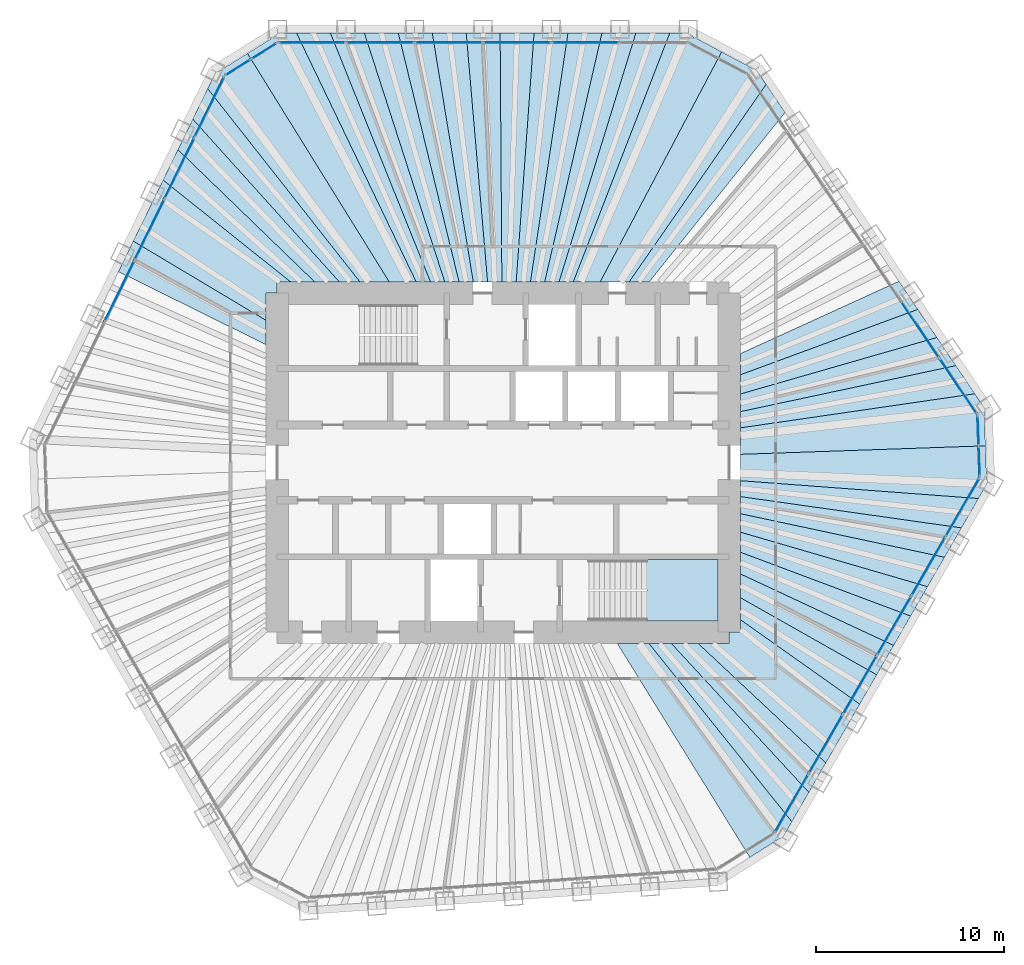
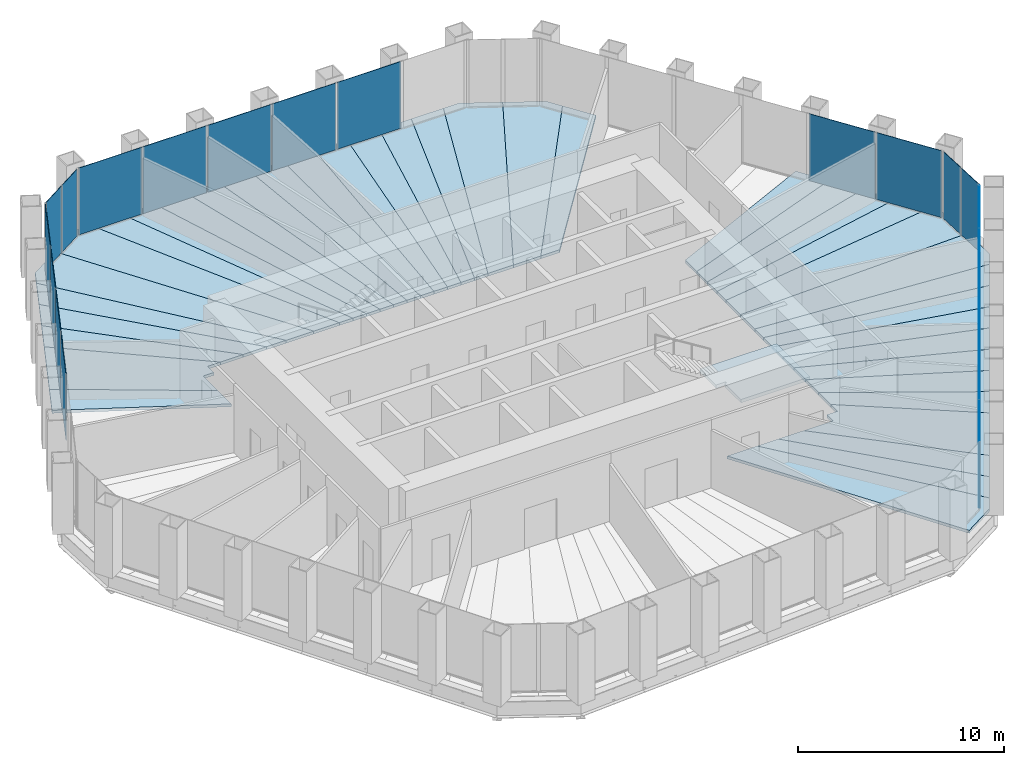
# One storey, part 9 of 14: 39 slabs, 21 plates, 7 elements without a shape of their own.
"""IFC4 building model written with IfcOpenShell, lengths in metres."""

from ifc_helpers import new_model, si_unit, direction, frame, origin, origin_2d, place, context, subcontext, project, spatial, polyline, rectangle, outline, extrude, material, layer, layer_set, type_object, element, aggregate, save


model = new_model("IFC4")

# Units and contexts
model_context = context("Model", 3, precision=1e-05, world=origin(), true_north=direction((0.0, 1.0)))
body_context = subcontext(model_context, "Body", "Model", "MODEL_VIEW")
ifc_project = project(units=[si_unit("LENGTHUNIT", "METRE"), si_unit("AREAUNIT", "SQUARE_METRE"), si_unit("VOLUMEUNIT", "CUBIC_METRE"), si_unit("PLANEANGLEUNIT", "RADIAN"), si_unit("MASSUNIT", "GRAM", prefix="KILO")], contexts=[model_context])

# Site, building, storey
site_placement = place(None, origin())
site = spatial("IfcSite", under=ifc_project, at=site_placement, CompositionType="ELEMENT")
building_placement = place(site_placement, origin())
building = spatial("IfcBuilding", under=site, at=building_placement, Name="Qingtian Harvest Tower", CompositionType="ELEMENT")
storey_placement = place(building_placement, frame((0.0, 0.0, 239.199951171875)))
storey = spatial("IfcBuildingStorey", under=building, at=storey_placement, Name="L52", CompositionType="ELEMENT", Elevation=239.199951171875)

# Slabs
ifc_material_1 = material(Name="Concrete fc' 35 MPa", Category="concrete")
ifc_layer_1 = layer(ifc_material_1, 0.169921875)
ifc_layer_set_1 = layer_set([ifc_layer_1], Name="Composite floor slab FS17 170")
slab_type_1 = type_object("IfcSlabType", Name="Composite floor slab FS17 170", PredefinedType="FLOOR", material=ifc_layer_set_1)
slab_1_placement = place(storey_placement, frame((0.0, 0.0, -0.169921875)))
element("IfcSlab", 1, at=slab_1_placement, inside=storey, type_object=slab_type_1, Name="Floor slab L52 panel D27", PredefinedType="FLOOR", context=body_context, shape_type="SweptSolid", body=[
    extrude(outline(polyline([(6.059326171875, -9.60009765625), (7.740966796875, -9.60009765625), (15.3271484375, -19.0625), (14.886962890625, -19.8251953125), (13.090576171875, -20.94775390625), (6.059326171875, -9.60009765625)])), origin(), (0.0, 0.0, 1.0), 0.169921875),
])
slab_2_placement = place(storey_placement, frame((0.0, 0.0, -0.169921875)))
element("IfcSlab", 2, at=slab_2_placement, inside=storey, type_object=slab_type_1, Name="Floor slab L52 panel D28", PredefinedType="FLOOR", context=body_context, shape_type="SweptSolid", body=[
    extrude(outline(polyline([(8.929443359375, -9.60009765625), (16.22802734375, -17.50244140625), (15.3271484375, -19.0625), (7.740966796875, -9.60009765625), (8.929443359375, -9.60009765625)])), origin(), (0.0, 0.0, 1.0), 0.169921875),
])
slab_3_placement = place(storey_placement, frame((0.0, 0.0, -0.169921875)))
element("IfcSlab", 3, at=slab_3_placement, inside=storey, type_object=slab_type_1, Name="Floor slab L52 panel D29", PredefinedType="FLOOR", context=body_context, shape_type="SweptSolid", body=[
    extrude(outline(polyline([(10.35205078125, -9.60009765625), (17.128662109375, -15.942138671875), (16.22802734375, -17.50244140625), (8.929443359375, -9.60009765625), (10.35205078125, -9.60009765625)])), origin(), (0.0, 0.0, 1.0), 0.169921875),
])
slab_4_placement = place(storey_placement, frame((0.0, 0.0, -0.169921875)))
element("IfcSlab", 4, at=slab_4_placement, inside=storey, type_object=slab_type_1, Name="Floor slab L52 panel D31", PredefinedType="FLOOR", context=body_context, shape_type="SweptSolid", body=[
    extrude(outline(polyline([(12.60009765625, -8.33984375), (18.931884765625, -12.819091796875), (17.128662109375, -15.942138671875), (10.35205078125, -9.60009765625), (12.0, -9.60009765625), (12.0, -9.0), (12.60009765625, -9.0), (12.60009765625, -8.33984375)])), origin(), (0.0, 0.0, 1.0), 0.169921875),
])
slab_5_placement = place(storey_placement, frame((0.0, 0.0, -0.169921875)))
element("IfcSlab", 5, at=slab_5_placement, inside=storey, type_object=slab_type_1, Name="Floor slab L52 panel D32", PredefinedType="FLOOR", context=body_context, shape_type="SweptSolid", body=[
    extrude(outline(polyline([(12.60009765625, -7.171142578125), (19.830322265625, -11.262939453125), (18.931884765625, -12.819091796875), (12.60009765625, -8.33984375), (12.60009765625, -7.171142578125)])), origin(), (0.0, 0.0, 1.0), 0.169921875),
])
slab_6_placement = place(storey_placement, frame((0.0, 0.0, -0.169921875)))
element("IfcSlab", 6, at=slab_6_placement, inside=storey, type_object=slab_type_1, Name="Floor slab L52 panel D33", PredefinedType="FLOOR", context=body_context, shape_type="SweptSolid", body=[
    extrude(outline(polyline([(12.60009765625, -5.91015625), (20.73095703125, -9.702880859375), (19.830322265625, -11.262939453125), (12.60009765625, -7.171142578125), (12.60009765625, -5.91015625)])), origin(), (0.0, 0.0, 1.0), 0.169921875),
])
slab_7_placement = place(storey_placement, frame((0.0, 0.0, -0.169921875)))
element("IfcSlab", 7, at=slab_7_placement, inside=storey, type_object=slab_type_1, Name="Floor slab L52 panel D34", PredefinedType="FLOOR", context=body_context, shape_type="SweptSolid", body=[
    extrude(outline(polyline([(12.60009765625, -4.75439453125), (21.6318359375, -8.142578125), (20.73095703125, -9.702880859375), (12.60009765625, -5.91015625), (12.60009765625, -4.75439453125)])), origin(), (0.0, 0.0, 1.0), 0.169921875),
])
slab_8_placement = place(storey_placement, frame((0.0, 0.0, -0.169921875)))
element("IfcSlab", 8, at=slab_8_placement, inside=storey, type_object=slab_type_1, Name="Floor slab L52 panel D35", PredefinedType="FLOOR", context=body_context, shape_type="SweptSolid", body=[
    extrude(outline(polyline([(12.60009765625, -3.691162109375), (22.532470703125, -6.58251953125), (21.6318359375, -8.142578125), (12.60009765625, -4.75439453125), (12.60009765625, -3.691162109375)])), origin(), (0.0, 0.0, 1.0), 0.169921875),
])
slab_9_placement = place(storey_placement, frame((0.0, 0.0, -0.169921875)))
element("IfcSlab", 9, at=slab_9_placement, inside=storey, type_object=slab_type_1, Name="Floor slab L52 panel D36", PredefinedType="FLOOR", context=body_context, shape_type="SweptSolid", body=[
    extrude(outline(polyline([(12.60009765625, -2.709716796875), (23.43310546875, -5.022705078125), (22.532470703125, -6.58251953125), (12.60009765625, -3.691162109375), (12.60009765625, -2.709716796875)])), origin(), (0.0, 0.0, 1.0), 0.169921875),
])
slab_10_placement = place(storey_placement, frame((0.0, 0.0, -0.169921875)))
element("IfcSlab", 10, at=slab_10_placement, inside=storey, type_object=slab_type_1, Name="Floor slab L52 panel D37", PredefinedType="FLOOR", context=body_context, shape_type="SweptSolid", body=[
    extrude(outline(polyline([(12.60009765625, -1.801025390625), (24.333740234375, -3.462646484375), (23.43310546875, -5.022705078125), (12.60009765625, -2.709716796875), (12.60009765625, -1.801025390625)])), origin(), (0.0, 0.0, 1.0), 0.169921875),
])
slab_11_placement = place(storey_placement, frame((0.0, 0.0, -0.169921875)))
element("IfcSlab", 11, at=slab_11_placement, inside=storey, type_object=slab_type_1, Name="Floor slab L52 panel D38", PredefinedType="FLOOR", context=body_context, shape_type="SweptSolid", body=[
    extrude(outline(polyline([(12.60009765625, -0.95703125), (25.234619140625, -1.902587890625), (24.333740234375, -3.462646484375), (12.60009765625, -1.801025390625), (12.60009765625, -0.95703125)])), origin(), (0.0, 0.0, 1.0), 0.169921875),
])
slab_12_placement = place(storey_placement, frame((0.0, 0.0, -0.169921875)))
element("IfcSlab", 12, at=slab_12_placement, inside=storey, type_object=slab_type_1, Name="Floor slab L52 panel D39", PredefinedType="FLOOR", context=body_context, shape_type="SweptSolid", body=[
    extrude(outline(polyline([(12.60009765625, -0.95703125), (12.60009765625, 0.442626953125), (25.603759765625, 0.89404296875), (25.6748046875, -1.139892578125), (25.234619140625, -1.902587890625), (12.60009765625, -0.95703125)])), origin(), (0.0, 0.0, 1.0), 0.169921875),
])
slab_13_placement = place(storey_placement, frame((0.0, 0.0, -0.169921875)))
element("IfcSlab", 13, at=slab_13_placement, inside=storey, type_object=slab_type_1, Name="Floor slab L52 panel D40", PredefinedType="FLOOR", context=body_context, shape_type="SweptSolid", body=[
    extrude(outline(polyline([(12.60009765625, 0.442626953125), (12.60009765625, 1.848876953125), (25.040283203125, 3.658203125), (25.53271484375, 2.92822265625), (25.603759765625, 0.89404296875), (12.60009765625, 0.442626953125)])), origin(), (0.0, 0.0, 1.0), 0.169921875),
])
slab_14_placement = place(storey_placement, frame((0.0, 0.0, -0.169921875)))
element("IfcSlab", 14, at=slab_14_placement, inside=storey, type_object=slab_type_1, Name="Floor slab L52 panel D41", PredefinedType="FLOOR", context=body_context, shape_type="SweptSolid", body=[
    extrude(outline(polyline([(12.60009765625, 2.710205078125), (24.032958984375, 5.151611328125), (25.040283203125, 3.658203125), (12.60009765625, 1.848876953125), (12.60009765625, 2.710205078125)])), origin(), (0.0, 0.0, 1.0), 0.169921875),
])
slab_15_placement = place(storey_placement, frame((0.0, 0.0, -0.169921875)))
element("IfcSlab", 15, at=slab_15_placement, inside=storey, type_object=slab_type_1, Name="Floor slab L52 panel D42", PredefinedType="FLOOR", context=body_context, shape_type="SweptSolid", body=[
    extrude(outline(polyline([(12.60009765625, 3.646728515625), (23.025634765625, 6.64501953125), (24.032958984375, 5.151611328125), (12.60009765625, 2.710205078125), (12.60009765625, 3.646728515625)])), origin(), (0.0, 0.0, 1.0), 0.169921875),
])
slab_16_placement = place(storey_placement, frame((0.0, 0.0, -0.169921875)))
element("IfcSlab", 16, at=slab_16_placement, inside=storey, type_object=slab_type_1, Name="Floor slab L52 panel D43", PredefinedType="FLOOR", context=body_context, shape_type="SweptSolid", body=[
    extrude(outline(polyline([(12.60009765625, 4.669189453125), (22.018310546875, 8.138427734375), (23.025634765625, 6.64501953125), (12.60009765625, 3.646728515625), (12.60009765625, 4.669189453125)])), origin(), (0.0, 0.0, 1.0), 0.169921875),
])
slab_17_placement = place(storey_placement, frame((0.0, 0.0, -0.169921875)))
element("IfcSlab", 17, at=slab_17_placement, inside=storey, type_object=slab_type_1, Name="Floor slab L52 panel D44", PredefinedType="FLOOR", context=body_context, shape_type="SweptSolid", body=[
    extrude(outline(polyline([(12.60009765625, 5.7900390625), (21.010986328125, 9.6318359375), (22.018310546875, 8.138427734375), (12.60009765625, 4.669189453125), (12.60009765625, 5.7900390625)])), origin(), (0.0, 0.0, 1.0), 0.169921875),
])
slab_18_placement = place(storey_placement, frame((0.0, 0.0, -0.169921875)))
element("IfcSlab", 18, at=slab_18_placement, inside=storey, type_object=slab_type_1, Name="Floor slab L52 panel D51", PredefinedType="FLOOR", context=body_context, shape_type="SweptSolid", body=[
    extrude(outline(polyline([(6.6904296875, 9.60009765625), (13.960205078125, 20.085205078125), (14.967529296875, 18.591796875), (7.751220703125, 9.60009765625), (6.6904296875, 9.60009765625)])), origin(), (0.0, 0.0, 1.0), 0.169921875),
])
slab_19_placement = place(storey_placement, frame((0.0, 0.0, -0.169921875)))
element("IfcSlab", 19, at=slab_19_placement, inside=storey, type_object=slab_type_1, Name="Floor slab L52 panel D52", PredefinedType="FLOOR", context=body_context, shape_type="SweptSolid", body=[
    extrude(outline(polyline([(6.6904296875, 9.60009765625), (5.15185546875, 9.60009765625), (11.59716796875, 21.809814453125), (13.4677734375, 20.8154296875), (13.960205078125, 20.085205078125), (6.6904296875, 9.60009765625)])), origin(), (0.0, 0.0, 1.0), 0.169921875),
])
slab_20_placement = place(storey_placement, frame((0.0, 0.0, -0.169921875)))
element("IfcSlab", 20, at=slab_20_placement, inside=storey, type_object=slab_type_1, Name="Floor slab L52 panel D53", PredefinedType="FLOOR", context=body_context, shape_type="SweptSolid", body=[
    extrude(outline(polyline([(3.7236328125, 9.60009765625), (8.84521484375, 22.804931640625), (9.7255859375, 22.804931640625), (11.59716796875, 21.809814453125), (5.15185546875, 9.60009765625), (3.7236328125, 9.60009765625)])), origin(), (0.0, 0.0, 1.0), 0.169921875),
])
slab_21_placement = place(storey_placement, frame((0.0, 0.0, -0.169921875)))
element("IfcSlab", 21, at=slab_21_placement, inside=storey, type_object=slab_type_1, Name="Floor slab L52 panel D54", PredefinedType="FLOOR", context=body_context, shape_type="SweptSolid", body=[
    extrude(outline(polyline([(2.96533203125, 9.60009765625), (7.0439453125, 22.804931640625), (8.84521484375, 22.804931640625), (3.7236328125, 9.60009765625), (2.96533203125, 9.60009765625)])), origin(), (0.0, 0.0, 1.0), 0.169921875),
])
slab_22_placement = place(storey_placement, frame((0.0, 0.0, -0.169921875)))
element("IfcSlab", 22, at=slab_22_placement, inside=storey, type_object=slab_type_1, Name="Floor slab L52 panel D55", PredefinedType="FLOOR", context=body_context, shape_type="SweptSolid", body=[
    extrude(outline(polyline([(2.206787109375, 9.60009765625), (5.242431640625, 22.804931640625), (7.0439453125, 22.804931640625), (2.96533203125, 9.60009765625), (2.206787109375, 9.60009765625)])), origin(), (0.0, 0.0, 1.0), 0.169921875),
])
slab_23_placement = place(storey_placement, frame((0.0, 0.0, -0.169921875)))
element("IfcSlab", 23, at=slab_23_placement, inside=storey, type_object=slab_type_1, Name="Floor slab L52 panel D56", PredefinedType="FLOOR", context=body_context, shape_type="SweptSolid", body=[
    extrude(outline(polyline([(1.448486328125, 9.60009765625), (3.441162109375, 22.804931640625), (5.242431640625, 22.804931640625), (2.206787109375, 9.60009765625), (1.448486328125, 9.60009765625)])), origin(), (0.0, 0.0, 1.0), 0.169921875),
])
slab_24_placement = place(storey_placement, frame((0.0, 0.0, -0.169921875)))
element("IfcSlab", 24, at=slab_24_placement, inside=storey, type_object=slab_type_1, Name="Floor slab L52 panel D57", PredefinedType="FLOOR", context=body_context, shape_type="SweptSolid", body=[
    extrude(outline(polyline([(0.690185546875, 9.60009765625), (1.639892578125, 22.804931640625), (3.441162109375, 22.804931640625), (1.448486328125, 9.60009765625), (0.690185546875, 9.60009765625)])), origin(), (0.0, 0.0, 1.0), 0.169921875),
])
slab_25_placement = place(storey_placement, frame((0.0, 0.0, -0.169921875)))
element("IfcSlab", 25, at=slab_25_placement, inside=storey, type_object=slab_type_1, Name="Floor slab L52 panel D58", PredefinedType="FLOOR", context=body_context, shape_type="SweptSolid", body=[
    extrude(outline(polyline([(-0.068115234375, 9.60009765625), (-0.16162109375, 22.804931640625), (1.639892578125, 22.804931640625), (0.690185546875, 9.60009765625), (-0.068115234375, 9.60009765625)])), origin(), (0.0, 0.0, 1.0), 0.169921875),
])
slab_26_placement = place(storey_placement, frame((0.0, 0.0, -0.169921875)))
element("IfcSlab", 26, at=slab_26_placement, inside=storey, type_object=slab_type_1, Name="Floor slab L52 panel D59", PredefinedType="FLOOR", context=body_context, shape_type="SweptSolid", body=[
    extrude(outline(polyline([(-0.826416015625, 9.60009765625), (-1.962890625, 22.804931640625), (-0.16162109375, 22.804931640625), (-0.068115234375, 9.60009765625), (-0.826416015625, 9.60009765625)])), origin(), (0.0, 0.0, 1.0), 0.169921875),
])
slab_27_placement = place(storey_placement, frame((0.0, 0.0, -0.169921875)))
element("IfcSlab", 27, at=slab_27_placement, inside=storey, type_object=slab_type_1, Name="Floor slab L52 panel D60", PredefinedType="FLOOR", context=body_context, shape_type="SweptSolid", body=[
    extrude(outline(polyline([(-1.584716796875, 9.60009765625), (-3.764404296875, 22.804931640625), (-1.962890625, 22.804931640625), (-0.826416015625, 9.60009765625), (-1.584716796875, 9.60009765625)])), origin(), (0.0, 0.0, 1.0), 0.169921875),
])
slab_28_placement = place(storey_placement, frame((0.0, 0.0, -0.169921875)))
element("IfcSlab", 28, at=slab_28_placement, inside=storey, type_object=slab_type_1, Name="Floor slab L52 panel D61", PredefinedType="FLOOR", context=body_context, shape_type="SweptSolid", body=[
    extrude(outline(polyline([(-2.343017578125, 9.60009765625), (-5.565673828125, 22.804931640625), (-3.764404296875, 22.804931640625), (-1.584716796875, 9.60009765625), (-2.343017578125, 9.60009765625)])), origin(), (0.0, 0.0, 1.0), 0.169921875),
])
slab_29_placement = place(storey_placement, frame((0.0, 0.0, -0.169921875)))
element("IfcSlab", 29, at=slab_29_placement, inside=storey, type_object=slab_type_1, Name="Floor slab L52 panel D62", PredefinedType="FLOOR", context=body_context, shape_type="SweptSolid", body=[
    extrude(outline(polyline([(-3.101318359375, 9.60009765625), (-7.366943359375, 22.804931640625), (-5.565673828125, 22.804931640625), (-2.343017578125, 9.60009765625), (-3.101318359375, 9.60009765625)])), origin(), (0.0, 0.0, 1.0), 0.169921875),
])
slab_30_placement = place(storey_placement, frame((0.0, 0.0, -0.169921875)))
element("IfcSlab", 30, at=slab_30_placement, inside=storey, type_object=slab_type_1, Name="Floor slab L52 panel D63", PredefinedType="FLOOR", context=body_context, shape_type="SweptSolid", body=[
    extrude(outline(polyline([(-3.859619140625, 9.60009765625), (-9.16845703125, 22.804931640625), (-7.366943359375, 22.804931640625), (-3.101318359375, 9.60009765625), (-3.859619140625, 9.60009765625)])), origin(), (0.0, 0.0, 1.0), 0.169921875),
])
slab_31_placement = place(storey_placement, frame((0.0, 0.0, -0.169921875)))
element("IfcSlab", 31, at=slab_31_placement, inside=storey, type_object=slab_type_1, Name="Floor slab L52 panel D64", PredefinedType="FLOOR", context=body_context, shape_type="SweptSolid", body=[
    extrude(outline(polyline([(-4.617919921875, 9.60009765625), (-10.9697265625, 22.804931640625), (-9.16845703125, 22.804931640625), (-3.859619140625, 9.60009765625), (-4.617919921875, 9.60009765625)])), origin(), (0.0, 0.0, 1.0), 0.169921875),
])
slab_32_placement = place(storey_placement, frame((0.0, 0.0, -0.169921875)))
element("IfcSlab", 32, at=slab_32_placement, inside=storey, type_object=slab_type_1, Name="Floor slab L52 panel D65", PredefinedType="FLOOR", context=body_context, shape_type="SweptSolid", body=[
    extrude(outline(polyline([(-4.617919921875, 9.60009765625), (-6.050537109375, 9.60009765625), (-13.57666015625, 21.72607421875), (-11.85009765625, 22.804931640625), (-10.9697265625, 22.804931640625), (-4.617919921875, 9.60009765625)])), origin(), (0.0, 0.0, 1.0), 0.169921875),
])
slab_33_placement = place(storey_placement, frame((0.0, 0.0, -0.169921875)))
element("IfcSlab", 33, at=slab_33_placement, inside=storey, type_object=slab_type_1, Name="Floor slab L52 panel D66", PredefinedType="FLOOR", context=body_context, shape_type="SweptSolid", body=[
    extrude(outline(polyline([(-6.050537109375, 9.60009765625), (-7.60498046875, 9.60009765625), (-15.688232421875, 19.8564453125), (-15.30224609375, 20.64794921875), (-13.57666015625, 21.72607421875), (-6.050537109375, 9.60009765625)])), origin(), (0.0, 0.0, 1.0), 0.169921875),
])
slab_34_placement = place(storey_placement, frame((0.0, 0.0, -0.169921875)))
element("IfcSlab", 34, at=slab_34_placement, inside=storey, type_object=slab_type_1, Name="Floor slab L52 panel D67", PredefinedType="FLOOR", context=body_context, shape_type="SweptSolid", body=[
    extrude(outline(polyline([(-8.699951171875, 9.60009765625), (-16.47802734375, 18.2373046875), (-15.688232421875, 19.8564453125), (-7.60498046875, 9.60009765625), (-8.699951171875, 9.60009765625)])), origin(), (0.0, 0.0, 1.0), 0.169921875),
])
slab_35_placement = place(storey_placement, frame((0.0, 0.0, -0.169921875)))
element("IfcSlab", 35, at=slab_35_placement, inside=storey, type_object=slab_type_1, Name="Floor slab L52 panel D68", PredefinedType="FLOOR", context=body_context, shape_type="SweptSolid", body=[
    extrude(outline(polyline([(-10.009765625, 9.60009765625), (-17.267822265625, 16.6181640625), (-16.47802734375, 18.2373046875), (-8.699951171875, 9.60009765625), (-10.009765625, 9.60009765625)])), origin(), (0.0, 0.0, 1.0), 0.169921875),
])
slab_36_placement = place(storey_placement, frame((0.0, 0.0, -0.169921875)))
element("IfcSlab", 36, at=slab_36_placement, inside=storey, type_object=slab_type_1, Name="Floor slab L52 panel D69", PredefinedType="FLOOR", context=body_context, shape_type="SweptSolid", body=[
    extrude(outline(polyline([(-11.28759765625, 9.60009765625), (-18.055419921875, 15.003173828125), (-17.267822265625, 16.6181640625), (-10.009765625, 9.60009765625), (-11.28759765625, 9.60009765625)])), origin(), (0.0, 0.0, 1.0), 0.169921875),
])
slab_37_placement = place(storey_placement, frame((0.0, 0.0, -0.169921875)))
element("IfcSlab", 37, at=slab_37_placement, inside=storey, type_object=slab_type_1, Name="Floor slab L52 panel D70", PredefinedType="FLOOR", context=body_context, shape_type="SweptSolid", body=[
    extrude(outline(polyline([(-12.0, 9.0), (-12.60009765625, 9.0), (-12.60009765625, 7.560302734375), (-19.636474609375, 11.761474609375), (-18.055419921875, 15.003173828125), (-11.28759765625, 9.60009765625), (-12.0, 9.60009765625), (-12.0, 9.0)])), origin(), (0.0, 0.0, 1.0), 0.169921875),
])
slab_38_placement = place(storey_placement, frame((0.0, 0.0, -0.169921875)))
element("IfcSlab", 38, at=slab_38_placement, inside=storey, type_object=slab_type_1, Name="Floor slab L52 panel D72", PredefinedType="FLOOR", context=body_context, shape_type="SweptSolid", body=[
    extrude(outline(polyline([(-12.60009765625, 6.268310546875), (-20.426025390625, 10.142578125), (-19.636474609375, 11.761474609375), (-12.60009765625, 7.560302734375), (-12.60009765625, 6.268310546875)])), origin(), (0.0, 0.0, 1.0), 0.169921875),
])

# Curtain wall, plates
ifc_material_2 = material(Name="Bronze-anodised aluminium curtain wall", Category="aluminium")
curtain_wall_type = type_object("IfcCurtainWallType", Name="Curtain wall CW4 office", PredefinedType="USERDEFINED", material=ifc_material_2)
curtain_wall_1_placement = place(storey_placement, origin())
curtain_wall_1 = element("IfcCurtainWall", 39, at=curtain_wall_1_placement, inside=storey, type_object=curtain_wall_type, Name="Curtain wall CW4 L52 N0-5", ObjectType="RECESSED CURTAIN WALL", PredefinedType="USERDEFINED")
ifc_material_3 = material(Name="Bronze-tinted laminated insulating glass", Category="glass")
ifc_layer_2 = layer(ifc_material_3, 0.030029296875)
ifc_layer_set_2 = layer_set([ifc_layer_2], Name="Glazed panel CWP tinted IGU")
plate_type = type_object("IfcPlateType", Name="Glazed panel CWP tinted IGU", PredefinedType="CURTAIN_PANEL", material=ifc_layer_set_2)
plate_1_placement = place(storey_placement, frame((-10.138916015625, 22.300048828125, 0.06494140625), z_axis=(0.0, 0.0, 1.0), x_axis=(1.0, 0.0, 0.0)))
plate_1 = element("IfcPlate", 40, at=plate_1_placement, type_object=plate_type, Name="CW4 panel 1.1", PredefinedType="CURTAIN_PANEL", context=body_context, shape_type="SweptSolid", body=[
    extrude(rectangle(XDim=3.5361328125, YDim=0.030029296875, at=origin_2d()), origin(), (0.0, 0.0, 1.0), 3.965087890625),
])
plate_2_placement = place(storey_placement, frame((-6.521728515625, 22.300048828125, 0.06494140625), z_axis=(0.0, 0.0, 1.0), x_axis=(1.0, 0.0, 0.0)))
plate_2 = element("IfcPlate", 41, at=plate_2_placement, type_object=plate_type, Name="CW4 panel 2.1", PredefinedType="CURTAIN_PANEL", context=body_context, shape_type="SweptSolid", body=[
    extrude(rectangle(XDim=3.568603515625, YDim=0.030029296875, at=origin_2d()), origin(), (0.0, 0.0, 1.0), 3.965087890625),
])
plate_3_placement = place(storey_placement, frame((-2.88818359375, 22.300048828125, 0.06494140625), z_axis=(0.0, 0.0, 1.0), x_axis=(1.0, 0.0, 0.0)))
plate_3 = element("IfcPlate", 42, at=plate_3_placement, type_object=plate_type, Name="CW4 panel 3.1", PredefinedType="CURTAIN_PANEL", context=body_context, shape_type="SweptSolid", body=[
    extrude(rectangle(XDim=3.568603515625, YDim=0.030029296875, at=origin_2d()), origin(), (0.0, 0.0, 1.0), 3.965087890625),
])
plate_4_placement = place(storey_placement, frame((0.745361328125, 22.300048828125, 0.06494140625), z_axis=(0.0, 0.0, 1.0), x_axis=(1.0, 0.0, 0.0)))
plate_4 = element("IfcPlate", 43, at=plate_4_placement, type_object=plate_type, Name="CW4 panel 4.1", PredefinedType="CURTAIN_PANEL", context=body_context, shape_type="SweptSolid", body=[
    extrude(rectangle(XDim=3.568603515625, YDim=0.030029296875, at=origin_2d()), origin(), (0.0, 0.0, 1.0), 3.965087890625),
])
plate_5_placement = place(storey_placement, frame((4.37890625, 22.300048828125, 0.06494140625), z_axis=(0.0, 0.0, 1.0), x_axis=(1.0, 0.0, 0.0)))
plate_5 = element("IfcPlate", 44, at=plate_5_placement, type_object=plate_type, Name="CW4 panel 5.1", PredefinedType="CURTAIN_PANEL", context=body_context, shape_type="SweptSolid", body=[
    extrude(rectangle(XDim=3.568603515625, YDim=0.030029296875, at=origin_2d()), origin(), (0.0, 0.0, 1.0), 3.965087890625),
])
aggregate(curtain_wall_1, [plate_1, plate_2, plate_3, plate_4, plate_5])

curtain_wall_2_placement = place(storey_placement, origin())
curtain_wall_2 = element("IfcCurtainWall", 45, at=curtain_wall_2_placement, inside=storey, type_object=curtain_wall_type, Name="Curtain wall CW4 L52 NE0-5", ObjectType="RECESSED CURTAIN WALL", PredefinedType="USERDEFINED")
plate_6_placement = place(storey_placement, frame((22.134521484375, 7.063232421875, 0.06494140625), z_axis=(0.0, 0.0, 1.0), x_axis=(0.559192903471, -0.829037572555, 0.0)))
plate_6 = element("IfcPlate", 46, at=plate_6_placement, type_object=plate_type, Name="CW4 panel 5.1", PredefinedType="CURTAIN_PANEL", context=body_context, shape_type="SweptSolid", body=[
    extrude(rectangle(XDim=3.568603515625, YDim=0.030029296875, at=origin_2d()), origin(), (0.0, 0.0, 1.0), 3.965087890625),
])
plate_7_placement = place(storey_placement, frame((24.1572265625, 4.064453125, 0.06494140625), z_axis=(0.0, 0.0, 1.0), x_axis=(0.559192903471, -0.829037572555, 0.0)))
plate_7 = element("IfcPlate", 47, at=plate_7_placement, type_object=plate_type, Name="CW4 panel 6.1", PredefinedType="CURTAIN_PANEL", context=body_context, shape_type="SweptSolid", body=[
    extrude(rectangle(XDim=3.5361328125, YDim=0.030029296875, at=origin_2d()), origin(), (0.0, 0.0, 1.0), 3.965087890625),
])
aggregate(curtain_wall_2, [plate_6, plate_7])

curtain_wall_3_placement = place(storey_placement, origin())
curtain_wall_3 = element("IfcCurtainWall", 48, at=curtain_wall_3_placement, inside=storey, type_object=curtain_wall_type, Name="Curtain wall CW4 L52 NEC", ObjectType="RECESSED CURTAIN WALL", PredefinedType="USERDEFINED")
plate_8_placement = place(storey_placement, frame((25.2119140625, 1.69677734375, 0.06494140625), z_axis=(0.0, 0.0, 1.0), x_axis=(0.034899496703, -0.999390827019, 0.0)))
plate_8 = element("IfcPlate", 49, at=plate_8_placement, type_object=plate_type, Name="CW4 panel 1.1", PredefinedType="CURTAIN_PANEL", context=body_context, shape_type="SweptSolid", body=[
    extrude(rectangle(XDim=1.56689453125, YDim=0.030029296875, at=origin_2d()), origin(), (0.0, 0.0, 1.0), 3.965087890625),
])
plate_9_placement = place(storey_placement, frame((25.268798828125, 0.06591796875, 0.06494140625), z_axis=(0.0, 0.0, 1.0), x_axis=(0.034899496703, -0.999390827019, 0.0)))
plate_9 = element("IfcPlate", 50, at=plate_9_placement, type_object=plate_type, Name="CW4 panel 2.1", PredefinedType="CURTAIN_PANEL", context=body_context, shape_type="SweptSolid", body=[
    extrude(rectangle(XDim=1.56689453125, YDim=0.030029296875, at=origin_2d()), origin(), (0.0, 0.0, 1.0), 3.965087890625),
])
aggregate(curtain_wall_3, [plate_8, plate_9])

curtain_wall_4_placement = place(storey_placement, origin())
curtain_wall_4 = element("IfcCurtainWall", 51, at=curtain_wall_4_placement, inside=storey, type_object=curtain_wall_type, Name="Curtain wall CW4 L52 SE0-5", ObjectType="RECESSED CURTAIN WALL", PredefinedType="USERDEFINED")
plate_10_placement = place(storey_placement, frame((24.3818359375, -2.369384765625, 0.06494140625), z_axis=(0.0, 0.0, 1.0), x_axis=(-0.5, -0.866025403784, 0.0)))
plate_10 = element("IfcPlate", 52, at=plate_10_placement, type_object=plate_type, Name="CW4 panel 1.1", PredefinedType="CURTAIN_PANEL", context=body_context, shape_type="SweptSolid", body=[
    extrude(rectangle(XDim=3.5361328125, YDim=0.030029296875, at=origin_2d()), origin(), (0.0, 0.0, 1.0), 3.965087890625),
])
plate_11_placement = place(storey_placement, frame((22.5732421875, -5.501953125, 0.06494140625), z_axis=(0.0, 0.0, 1.0), x_axis=(-0.5, -0.866025403784, 0.0)))
plate_11 = element("IfcPlate", 53, at=plate_11_placement, type_object=plate_type, Name="CW4 panel 2.1", PredefinedType="CURTAIN_PANEL", context=body_context, shape_type="SweptSolid", body=[
    extrude(rectangle(XDim=3.568603515625, YDim=0.030029296875, at=origin_2d()), origin(), (0.0, 0.0, 1.0), 3.965087890625),
])
plate_12_placement = place(storey_placement, frame((20.75634765625, -8.64892578125, 0.06494140625), z_axis=(0.0, 0.0, 1.0), x_axis=(-0.5, -0.866025403784, 0.0)))
plate_12 = element("IfcPlate", 54, at=plate_12_placement, type_object=plate_type, Name="CW4 panel 3.1", PredefinedType="CURTAIN_PANEL", context=body_context, shape_type="SweptSolid", body=[
    extrude(rectangle(XDim=3.568603515625, YDim=0.030029296875, at=origin_2d()), origin(), (0.0, 0.0, 1.0), 3.965087890625),
])
plate_13_placement = place(storey_placement, frame((18.939697265625, -11.795654296875, 0.06494140625), z_axis=(0.0, 0.0, 1.0), x_axis=(-0.5, -0.866025403784, 0.0)))
plate_13 = element("IfcPlate", 55, at=plate_13_placement, type_object=plate_type, Name="CW4 panel 4.1", PredefinedType="CURTAIN_PANEL", context=body_context, shape_type="SweptSolid", body=[
    extrude(rectangle(XDim=3.568603515625, YDim=0.030029296875, at=origin_2d()), origin(), (0.0, 0.0, 1.0), 3.965087890625),
])
plate_14_placement = place(storey_placement, frame((17.122802734375, -14.9423828125, 0.06494140625), z_axis=(0.0, 0.0, 1.0), x_axis=(-0.5, -0.866025403784, 0.0)))
plate_14 = element("IfcPlate", 56, at=plate_14_placement, type_object=plate_type, Name="CW4 panel 5.1", PredefinedType="CURTAIN_PANEL", context=body_context, shape_type="SweptSolid", body=[
    extrude(rectangle(XDim=3.568603515625, YDim=0.030029296875, at=origin_2d()), origin(), (0.0, 0.0, 1.0), 3.965087890625),
])
plate_15_placement = place(storey_placement, frame((15.314208984375, -18.074951171875, 0.06494140625), z_axis=(0.0, 0.0, 1.0), x_axis=(-0.5, -0.866025403784, 0.0)))
plate_15 = element("IfcPlate", 57, at=plate_15_placement, type_object=plate_type, Name="CW4 panel 6.1", PredefinedType="CURTAIN_PANEL", context=body_context, shape_type="SweptSolid", body=[
    extrude(rectangle(XDim=3.5361328125, YDim=0.030029296875, at=origin_2d()), origin(), (0.0, 0.0, 1.0), 3.965087890625),
])
aggregate(curtain_wall_4, [plate_10, plate_11, plate_12, plate_13, plate_14, plate_15])

curtain_wall_5_placement = place(storey_placement, origin())
curtain_wall_5 = element("IfcCurtainWall", 58, at=curtain_wall_5_placement, inside=storey, type_object=curtain_wall_type, Name="Curtain wall CW4 L52 NW0-5", ObjectType="RECESSED CURTAIN WALL", PredefinedType="USERDEFINED")
plate_16_placement = place(storey_placement, frame((-20.369873046875, 9.105712890625, 0.06494140625), z_axis=(0.0, 0.0, 1.0), x_axis=(0.438371146789, 0.898794046299, 0.0)))
plate_16 = element("IfcPlate", 59, at=plate_16_placement, type_object=plate_type, Name="CW4 panel 3.1", PredefinedType="CURTAIN_PANEL", context=body_context, shape_type="SweptSolid", body=[
    extrude(rectangle(XDim=3.568603515625, YDim=0.030029296875, at=origin_2d()), origin(), (0.0, 0.0, 1.0), 3.965087890625),
])
plate_17_placement = place(storey_placement, frame((-18.777099609375, 12.37158203125, 0.06494140625), z_axis=(0.0, 0.0, 1.0), x_axis=(0.438371146789, 0.898794046299, 0.0)))
plate_17 = element("IfcPlate", 60, at=plate_17_placement, type_object=plate_type, Name="CW4 panel 4.1", PredefinedType="CURTAIN_PANEL", context=body_context, shape_type="SweptSolid", body=[
    extrude(rectangle(XDim=3.568603515625, YDim=0.030029296875, at=origin_2d()), origin(), (0.0, 0.0, 1.0), 3.965087890625),
])
plate_18_placement = place(storey_placement, frame((-17.18408203125, 15.63720703125, 0.06494140625), z_axis=(0.0, 0.0, 1.0), x_axis=(0.438371146789, 0.898794046299, 0.0)))
plate_18 = element("IfcPlate", 61, at=plate_18_placement, type_object=plate_type, Name="CW4 panel 5.1", PredefinedType="CURTAIN_PANEL", context=body_context, shape_type="SweptSolid", body=[
    extrude(rectangle(XDim=3.568603515625, YDim=0.030029296875, at=origin_2d()), origin(), (0.0, 0.0, 1.0), 3.965087890625),
])
plate_19_placement = place(storey_placement, frame((-15.598388671875, 18.888427734375, 0.06494140625), z_axis=(0.0, 0.0, 1.0), x_axis=(0.438371146789, 0.898794046299, 0.0)))
plate_19 = element("IfcPlate", 62, at=plate_19_placement, type_object=plate_type, Name="CW4 panel 6.1", PredefinedType="CURTAIN_PANEL", context=body_context, shape_type="SweptSolid", body=[
    extrude(rectangle(XDim=3.5361328125, YDim=0.030029296875, at=origin_2d()), origin(), (0.0, 0.0, 1.0), 3.965087890625),
])
aggregate(curtain_wall_5, [plate_16, plate_17, plate_18, plate_19])

curtain_wall_6_placement = place(storey_placement, origin())
curtain_wall_6 = element("IfcCurtainWall", 63, at=curtain_wall_6_placement, inside=storey, type_object=curtain_wall_type, Name="Curtain wall CW4 L52 NWC", ObjectType="RECESSED CURTAIN WALL", PredefinedType="USERDEFINED")
plate_20_placement = place(storey_placement, frame((-14.075439453125, 20.985595703125, 0.06494140625), z_axis=(0.0, 0.0, 1.0), x_axis=(0.848048096156, 0.529919264233, 0.0)))
plate_20 = element("IfcPlate", 64, at=plate_20_placement, type_object=plate_type, Name="CW4 panel 1.1", PredefinedType="CURTAIN_PANEL", context=body_context, shape_type="SweptSolid", body=[
    extrude(rectangle(XDim=1.56689453125, YDim=0.030029296875, at=origin_2d()), origin(), (0.0, 0.0, 1.0), 3.965087890625),
])
plate_21_placement = place(storey_placement, frame((-12.69140625, 21.850341796875, 0.06494140625), z_axis=(0.0, 0.0, 1.0), x_axis=(0.848048096156, 0.529919264233, 0.0)))
plate_21 = element("IfcPlate", 65, at=plate_21_placement, type_object=plate_type, Name="CW4 panel 2.1", PredefinedType="CURTAIN_PANEL", context=body_context, shape_type="SweptSolid", body=[
    extrude(rectangle(XDim=1.56689453125, YDim=0.030029296875, at=origin_2d()), origin(), (0.0, 0.0, 1.0), 3.965087890625),
])
aggregate(curtain_wall_6, [plate_20, plate_21])

# Stair, slab
ifc_material_4 = material(Name="Concrete fc' 35 MPa", Category="concrete")
stair_type = type_object("IfcStairType", Name="Special stair ST4 4200", PredefinedType="HALF_TURN_STAIR", material=ifc_material_4)
stair_placement = place(storey_placement, origin())
stair = element("IfcStair", 66, at=stair_placement, inside=storey, type_object=stair_type, Name="Special stair S2 L52", PredefinedType="HALF_TURN_STAIR")
ifc_material_5 = material(Name="Concrete fc' 35 MPa", Category="concrete")
ifc_layer_3 = layer(ifc_material_5, 0.199951171875)
ifc_layer_set_3 = layer_set([ifc_layer_3], Name="Stair landing SL2 200")
slab_type_2 = type_object("IfcSlabType", Name="Stair landing SL2 200", PredefinedType="LANDING", material=ifc_layer_set_3)
slab_39_placement = place(storey_placement, frame((0.0, 0.0, 1.900146484375)))
slab_39 = element("IfcSlab", 67, at=slab_39_placement, type_object=slab_type_2, Name="S2 landing 2", PredefinedType="LANDING", context=body_context, shape_type="SweptSolid", body=[
    extrude(outline(polyline([(7.530029296875, -8.39990234375), (7.530029296875, -6.824951171875), (7.6298828125, -6.824951171875), (7.6298828125, -6.72509765625), (7.094970703125, -6.72509765625), (7.094970703125, -5.14990234375), (11.39990234375, -5.14990234375), (11.39990234375, -8.39990234375), (7.530029296875, -8.39990234375)])), origin(), (0.0, 0.0, 1.0), 0.199951171875),
])
aggregate(stair, [slab_39])

save(model, "model.ifc")
